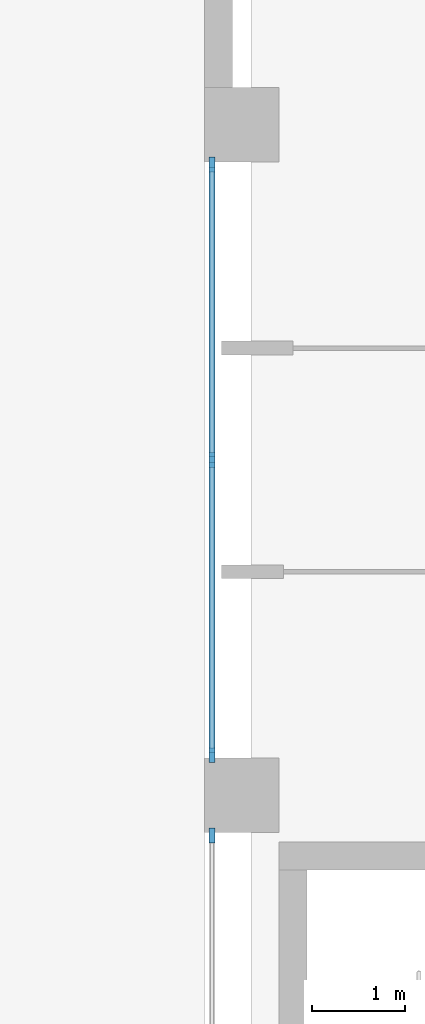
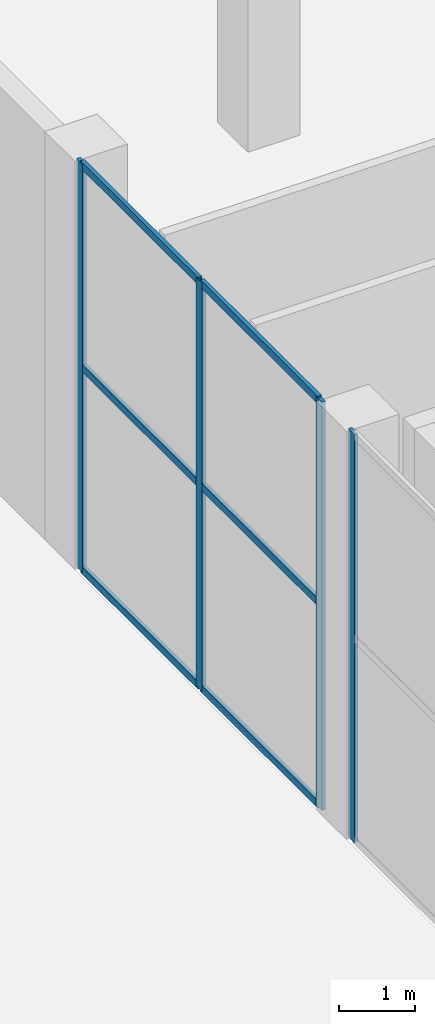
# One storey, part 6 of 44: 10 members, 2 elements without a shape of their own.
"""IFC4 building model written with IfcOpenShell, lengths in metres."""

from ifc_helpers import new_model, si_unit, direction, frame, origin, origin_2d, place, context, subcontext, project, spatial, rectangle, extrude, material, material_profile, profile_set, type_object, element, aggregate, save


model = new_model("IFC4")

# Units and contexts
model_context = context("Model", 3, precision=1e-05, world=origin(), true_north=direction((0.0, 1.0)))
body_context = subcontext(model_context, "Body", "Model", "MODEL_VIEW")
ifc_project = project(units=[si_unit("LENGTHUNIT", "METRE"), si_unit("AREAUNIT", "SQUARE_METRE"), si_unit("VOLUMEUNIT", "CUBIC_METRE"), si_unit("PLANEANGLEUNIT", "RADIAN"), si_unit("MASSUNIT", "GRAM", prefix="KILO")], contexts=[model_context])

# Site, building, storey
site_placement = place(None, origin())
site = spatial("IfcSite", under=ifc_project, at=site_placement, CompositionType="ELEMENT")
building_placement = place(site_placement, origin())
building = spatial("IfcBuilding", under=site, at=building_placement, Name="Fustian Cross Tower", CompositionType="ELEMENT")
storey_placement = place(building_placement, origin())
storey = spatial("IfcBuildingStorey", under=building, at=storey_placement, Name="L00", CompositionType="ELEMENT", Elevation=0.0)

# Curtain wall, members
ifc_material_1 = material(Name="Glass", Category="glass")
curtain_wall_type = type_object("IfcCurtainWallType", Name="CW3 CURTAIN WALL", PredefinedType="NOTDEFINED", material=ifc_material_1)
curtain_wall_1_placement = place(storey_placement, origin())
curtain_wall_1 = element("IfcCurtainWall", 1, at=curtain_wall_1_placement, inside=storey, type_object=curtain_wall_type, Name="Curtain wall CW3", PredefinedType="NOTDEFINED")
ifc_material_2 = material(Name="Aluminium alloy 6063", Category="aluminium")
ifc_material_profile_1 = material_profile(ifc_material_2, rectangle(XDim=0.06005859375, YDim=0.159912109375, at=origin_2d()), Name="CW3 MULLION 60x160")
ifc_profile_set_1 = profile_set([ifc_material_profile_1], Name="Aluminium alloy 6063")
member_type_1 = type_object("IfcMemberType", Name="CW3 MULLION 60x160", PredefinedType="MULLION", material=ifc_profile_set_1)
member_1_placement = place(storey_placement, frame((-50.320068359375, -29.22998046875, 0.0), z_axis=(0.0, 0.0, 1.0), x_axis=(1.0, 0.0, 0.0)))
member_1 = element("IfcMember", 2, at=member_1_placement, type_object=member_type_1, Name="CW3 mullion 1", PredefinedType="MULLION", context=body_context, shape_type="SweptSolid", body=[
    extrude(rectangle(XDim=0.06005859375, YDim=0.159912109375, at=origin_2d()), origin(), (0.0, 0.0, 1.0), 6.60009765625),
])
member_2_placement = place(storey_placement, frame((-50.320068359375, -32.39990234375, 0.0), z_axis=(0.0, 0.0, 1.0), x_axis=(1.0, 0.0, 0.0)))
member_2 = element("IfcMember", 3, at=member_2_placement, type_object=member_type_1, Name="CW3 mullion 2", PredefinedType="MULLION", context=body_context, shape_type="SweptSolid", body=[
    extrude(rectangle(XDim=0.06005859375, YDim=0.159912109375, at=origin_2d()), origin(), (0.0, 0.0, 1.0), 6.60009765625),
])
member_3_placement = place(storey_placement, frame((-50.320068359375, -35.570068359375, 0.0), z_axis=(0.0, 0.0, 1.0), x_axis=(1.0, 0.0, 0.0)))
member_3 = element("IfcMember", 4, at=member_3_placement, type_object=member_type_1, Name="CW3 mullion 3", PredefinedType="MULLION", context=body_context, shape_type="SweptSolid", body=[
    extrude(rectangle(XDim=0.06005859375, YDim=0.159912109375, at=origin_2d()), origin(), (0.0, 0.0, 1.0), 6.60009765625),
])

# Curtain wall, member
curtain_wall_2_placement = place(storey_placement, origin())
curtain_wall_2 = element("IfcCurtainWall", 5, at=curtain_wall_2_placement, inside=storey, type_object=curtain_wall_type, Name="Curtain wall CW3", PredefinedType="NOTDEFINED")
member_4_placement = place(storey_placement, frame((-50.320068359375, -36.429931640625, 0.0), z_axis=(0.0, 0.0, 1.0), x_axis=(1.0, 0.0, 0.0)))
member_4 = element("IfcMember", 6, at=member_4_placement, type_object=member_type_1, Name="CW3 mullion 1", PredefinedType="MULLION", context=body_context, shape_type="SweptSolid", body=[
    extrude(rectangle(XDim=0.06005859375, YDim=0.159912109375, at=origin_2d()), origin(), (0.0, 0.0, 1.0), 6.60009765625),
])
aggregate(curtain_wall_2, [member_4])

# Member
ifc_material_3 = material(Name="Aluminium alloy 6063", Category="aluminium")
ifc_material_profile_2 = material_profile(ifc_material_3, rectangle(XDim=0.06005859375, YDim=0.1201171875, at=origin_2d()), Name="CW3 TRANSOM 60x120")
ifc_profile_set_2 = profile_set([ifc_material_profile_2], Name="Aluminium alloy 6063")
member_type_2 = type_object("IfcMemberType", Name="CW3 TRANSOM 60x120", PredefinedType="USERDEFINED", material=ifc_profile_set_2)
member_5_placement = place(storey_placement, frame((-50.320068359375, -29.260009765625, 0.030029296875), z_axis=(0.0, -1.0, 0.0), x_axis=(1.0, 0.0, 0.0)))
member_5 = element("IfcMember", 7, at=member_5_placement, type_object=member_type_2, Name="CW3 transom 1.1", ObjectType="TRANSOM", PredefinedType="USERDEFINED", context=body_context, shape_type="SweptSolid", body=[
    extrude(rectangle(XDim=0.06005859375, YDim=0.1201171875, at=origin_2d()), origin(), (0.0, 0.0, 1.0), 3.110107421875),
])

member_6_placement = place(storey_placement, frame((-50.320068359375, -29.260009765625, 3.300048828125), z_axis=(0.0, -1.0, 0.0), x_axis=(1.0, 0.0, 0.0)))
member_6 = element("IfcMember", 8, at=member_6_placement, type_object=member_type_2, Name="CW3 transom 1.2", ObjectType="TRANSOM", PredefinedType="USERDEFINED", context=body_context, shape_type="SweptSolid", body=[
    extrude(rectangle(XDim=0.06005859375, YDim=0.1201171875, at=origin_2d()), origin(), (0.0, 0.0, 1.0), 3.110107421875),
])

member_7_placement = place(storey_placement, frame((-50.320068359375, -29.260009765625, 6.570068359375), z_axis=(0.0, -1.0, 0.0), x_axis=(1.0, 0.0, 0.0)))
member_7 = element("IfcMember", 9, at=member_7_placement, type_object=member_type_2, Name="CW3 transom 1.3", ObjectType="TRANSOM", PredefinedType="USERDEFINED", context=body_context, shape_type="SweptSolid", body=[
    extrude(rectangle(XDim=0.06005859375, YDim=0.1201171875, at=origin_2d()), origin(), (0.0, 0.0, 1.0), 3.110107421875),
])

member_8_placement = place(storey_placement, frame((-50.320068359375, -32.429931640625, 0.030029296875), z_axis=(0.0, -1.0, 0.0), x_axis=(1.0, 0.0, 0.0)))
member_8 = element("IfcMember", 10, at=member_8_placement, type_object=member_type_2, Name="CW3 transom 2.1", ObjectType="TRANSOM", PredefinedType="USERDEFINED", context=body_context, shape_type="SweptSolid", body=[
    extrude(rectangle(XDim=0.06005859375, YDim=0.1201171875, at=origin_2d()), origin(), (0.0, 0.0, 1.0), 3.110107421875),
])

member_9_placement = place(storey_placement, frame((-50.320068359375, -32.429931640625, 3.300048828125), z_axis=(0.0, -1.0, 0.0), x_axis=(1.0, 0.0, 0.0)))
member_9 = element("IfcMember", 11, at=member_9_placement, type_object=member_type_2, Name="CW3 transom 2.2", ObjectType="TRANSOM", PredefinedType="USERDEFINED", context=body_context, shape_type="SweptSolid", body=[
    extrude(rectangle(XDim=0.06005859375, YDim=0.1201171875, at=origin_2d()), origin(), (0.0, 0.0, 1.0), 3.110107421875),
])

member_10_placement = place(storey_placement, frame((-50.320068359375, -32.429931640625, 6.570068359375), z_axis=(0.0, -1.0, 0.0), x_axis=(1.0, 0.0, 0.0)))
member_10 = element("IfcMember", 12, at=member_10_placement, type_object=member_type_2, Name="CW3 transom 2.3", ObjectType="TRANSOM", PredefinedType="USERDEFINED", context=body_context, shape_type="SweptSolid", body=[
    extrude(rectangle(XDim=0.06005859375, YDim=0.1201171875, at=origin_2d()), origin(), (0.0, 0.0, 1.0), 3.110107421875),
])

aggregate(curtain_wall_1, [member_1, member_2, member_3, member_5, member_6, member_7, member_8, member_9, member_10])

save(model, "model.ifc")
